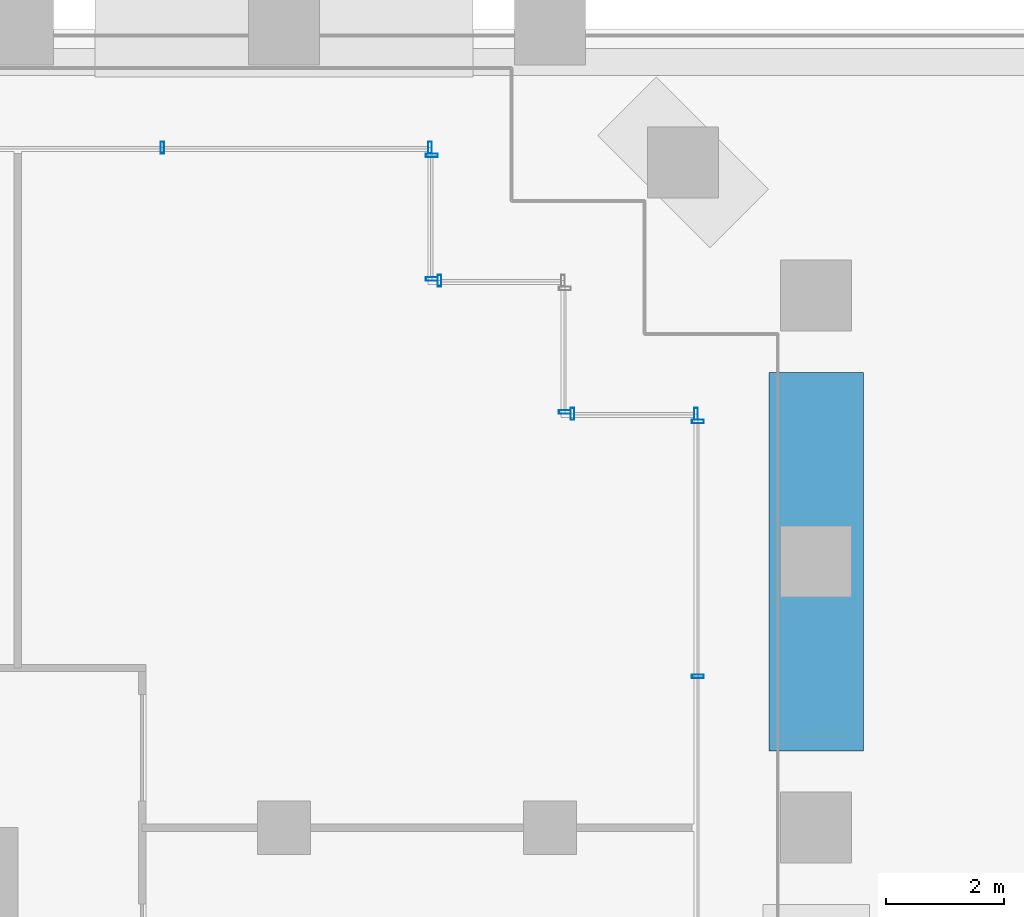
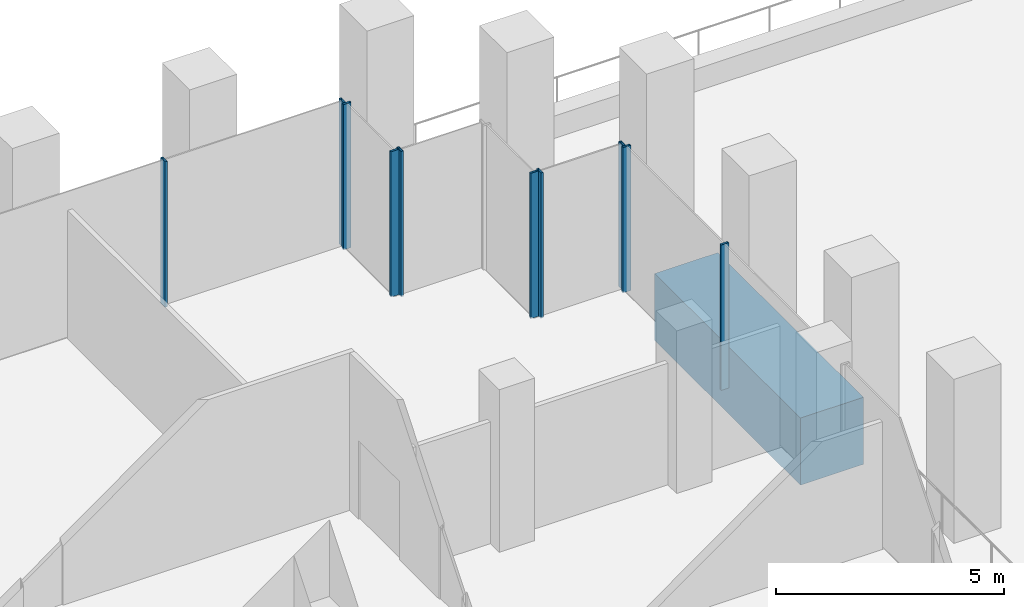
# One storey, part 12 of 32: 10 members, 1 beam, 6 elements without a shape of their own.
"""IFC4 building model written with IfcOpenShell, lengths in metres."""

from ifc_helpers import new_model, si_unit, direction, frame, origin, origin_2d, place, context, subcontext, project, spatial, rectangle, hollow_rectangle, extrude, material, material_profile, profile_set, type_object, element, aggregate, save


model = new_model("IFC4")

# Units and contexts
model_context = context("Model", 3, precision=1e-05, world=origin(), true_north=direction((0.0, 1.0)))
body_context = subcontext(model_context, "Body", "Model", "MODEL_VIEW")
ifc_project = project(units=[si_unit("LENGTHUNIT", "METRE"), si_unit("AREAUNIT", "SQUARE_METRE"), si_unit("VOLUMEUNIT", "CUBIC_METRE"), si_unit("PLANEANGLEUNIT", "RADIAN"), si_unit("MASSUNIT", "GRAM", prefix="KILO")], contexts=[model_context])

# Site, building, storey
site_placement = place(None, origin())
site = spatial("IfcSite", under=ifc_project, at=site_placement, CompositionType="ELEMENT")
building_placement = place(site_placement, origin())
building = spatial("IfcBuilding", under=site, at=building_placement, Name="Altepetl Exchange Towers", CompositionType="ELEMENT")
storey_placement = place(building_placement, frame((0.0, 0.0, 21.0)))
storey = spatial("IfcBuildingStorey", under=building, at=storey_placement, Name="L04", CompositionType="ELEMENT", Elevation=21.0)

# Curtain wall, members
ifc_material_1 = material(Name="Aluminium 6063-T6 glazing", Category="aluminium")
curtain_wall_type = type_object("IfcCurtainWallType", Name="Trading floor glazing system", PredefinedType="NOTDEFINED", material=ifc_material_1)
curtain_wall_1_placement = place(storey_placement, origin())
curtain_wall_1 = element("IfcCurtainWall", 1, at=curtain_wall_1_placement, inside=storey, type_object=curtain_wall_type, Name="CW2 run", PredefinedType="NOTDEFINED")
ifc_material_2 = material(Name="Aluminium 6063-T6", Category="aluminium")
ifc_material_profile_1 = material_profile(ifc_material_2, hollow_rectangle(XDim=0.06005859375, YDim=0.199951171875, WallThickness=0.0029296875, at=origin_2d()), Name="Mullion 60x200 aluminium")
ifc_profile_set_1 = profile_set([ifc_material_profile_1], Name="Aluminium 6063-T6")
member_type = type_object("IfcMemberType", Name="Mullion 60x200 aluminium", PredefinedType="MULLION", material=ifc_profile_set_1)
member_1_placement = place(storey_placement, frame((70.0, 61.06005859375, 0.0), z_axis=(0.0, 0.0, 1.0), x_axis=(0.0, 1.0, 0.0)))
member_1 = element("IfcMember", 2, at=member_1_placement, type_object=member_type, Name="MU2 mullion", PredefinedType="MULLION", context=body_context, shape_type="SweptSolid", body=[
    extrude(hollow_rectangle(XDim=0.06005859375, YDim=0.199951171875, WallThickness=0.0029296875, at=origin_2d()), origin(), (0.0, 0.0, 1.0), 3.89990234375),
])
member_2_placement = place(storey_placement, frame((70.0, 65.3701171875, 0.0), z_axis=(0.0, 0.0, 1.0), x_axis=(0.0, 1.0, 0.0)))
member_2 = element("IfcMember", 3, at=member_2_placement, type_object=member_type, Name="MU2 mullion", PredefinedType="MULLION", context=body_context, shape_type="SweptSolid", body=[
    extrude(hollow_rectangle(XDim=0.06005859375, YDim=0.199951171875, WallThickness=0.0029296875, at=origin_2d()), origin(), (0.0, 0.0, 1.0), 3.89990234375),
])
aggregate(curtain_wall_1, [member_1, member_2])

curtain_wall_2_placement = place(storey_placement, origin())
curtain_wall_2 = element("IfcCurtainWall", 4, at=curtain_wall_2_placement, inside=storey, type_object=curtain_wall_type, Name="CW2 run", PredefinedType="NOTDEFINED")
member_3_placement = place(storey_placement, frame((69.969970703125, 65.5, 0.0), z_axis=(0.0, 0.0, 1.0), x_axis=(-1.0, 0.0, 0.0)))
member_3 = element("IfcMember", 5, at=member_3_placement, type_object=member_type, Name="MU2 mullion", PredefinedType="MULLION", context=body_context, shape_type="SweptSolid", body=[
    extrude(hollow_rectangle(XDim=0.06005859375, YDim=0.199951171875, WallThickness=0.0029296875, at=origin_2d()), origin(), (0.0, 0.0, 1.0), 3.89990234375),
])
member_4_placement = place(storey_placement, frame((67.8798828125, 65.5, 0.0), z_axis=(0.0, 0.0, 1.0), x_axis=(-1.0, 0.0, 0.0)))
member_4 = element("IfcMember", 6, at=member_4_placement, type_object=member_type, Name="MU2 mullion", PredefinedType="MULLION", context=body_context, shape_type="SweptSolid", body=[
    extrude(hollow_rectangle(XDim=0.06005859375, YDim=0.199951171875, WallThickness=0.0029296875, at=origin_2d()), origin(), (0.0, 0.0, 1.0), 3.89990234375),
])
aggregate(curtain_wall_2, [member_3, member_4])

# Curtain wall, member
curtain_wall_3_placement = place(storey_placement, origin())
curtain_wall_3 = element("IfcCurtainWall", 7, at=curtain_wall_3_placement, inside=storey, type_object=curtain_wall_type, Name="CW2 run", PredefinedType="NOTDEFINED")
member_5_placement = place(storey_placement, frame((67.75, 65.530029296875, 0.0), z_axis=(0.0, 0.0, 1.0), x_axis=(0.0, 1.0, 0.0)))
member_5 = element("IfcMember", 8, at=member_5_placement, type_object=member_type, Name="MU2 mullion", PredefinedType="MULLION", context=body_context, shape_type="SweptSolid", body=[
    extrude(hollow_rectangle(XDim=0.06005859375, YDim=0.199951171875, WallThickness=0.0029296875, at=origin_2d()), origin(), (0.0, 0.0, 1.0), 3.89990234375),
])
aggregate(curtain_wall_3, [member_5])

curtain_wall_4_placement = place(storey_placement, origin())
curtain_wall_4 = element("IfcCurtainWall", 9, at=curtain_wall_4_placement, inside=storey, type_object=curtain_wall_type, Name="CW2 run", PredefinedType="NOTDEFINED")
member_6_placement = place(storey_placement, frame((65.6298828125, 67.75, 0.0), z_axis=(0.0, 0.0, 1.0), x_axis=(-1.0, 0.0, 0.0)))
member_6 = element("IfcMember", 10, at=member_6_placement, type_object=member_type, Name="MU2 mullion", PredefinedType="MULLION", context=body_context, shape_type="SweptSolid", body=[
    extrude(hollow_rectangle(XDim=0.06005859375, YDim=0.199951171875, WallThickness=0.0029296875, at=origin_2d()), origin(), (0.0, 0.0, 1.0), 3.89990234375),
])
aggregate(curtain_wall_4, [member_6])

# Curtain wall, members
curtain_wall_5_placement = place(storey_placement, origin())
curtain_wall_5 = element("IfcCurtainWall", 11, at=curtain_wall_5_placement, inside=storey, type_object=curtain_wall_type, Name="CW2 run", PredefinedType="NOTDEFINED")
member_7_placement = place(storey_placement, frame((65.5, 67.780029296875, 0.0), z_axis=(0.0, 0.0, 1.0), x_axis=(0.0, 1.0, 0.0)))
member_7 = element("IfcMember", 12, at=member_7_placement, type_object=member_type, Name="MU2 mullion", PredefinedType="MULLION", context=body_context, shape_type="SweptSolid", body=[
    extrude(hollow_rectangle(XDim=0.06005859375, YDim=0.199951171875, WallThickness=0.0029296875, at=origin_2d()), origin(), (0.0, 0.0, 1.0), 3.89990234375),
])
member_8_placement = place(storey_placement, frame((65.5, 69.8701171875, 0.0), z_axis=(0.0, 0.0, 1.0), x_axis=(0.0, 1.0, 0.0)))
member_8 = element("IfcMember", 13, at=member_8_placement, type_object=member_type, Name="MU2 mullion", PredefinedType="MULLION", context=body_context, shape_type="SweptSolid", body=[
    extrude(hollow_rectangle(XDim=0.06005859375, YDim=0.199951171875, WallThickness=0.0029296875, at=origin_2d()), origin(), (0.0, 0.0, 1.0), 3.89990234375),
])
aggregate(curtain_wall_5, [member_7, member_8])

curtain_wall_6_placement = place(storey_placement, origin())
curtain_wall_6 = element("IfcCurtainWall", 14, at=curtain_wall_6_placement, inside=storey, type_object=curtain_wall_type, Name="CW2 run", PredefinedType="NOTDEFINED")
member_9_placement = place(storey_placement, frame((65.469970703125, 70.0, 0.0), z_axis=(0.0, 0.0, 1.0), x_axis=(-1.0, 0.0, 0.0)))
member_9 = element("IfcMember", 15, at=member_9_placement, type_object=member_type, Name="MU2 mullion", PredefinedType="MULLION", context=body_context, shape_type="SweptSolid", body=[
    extrude(hollow_rectangle(XDim=0.06005859375, YDim=0.199951171875, WallThickness=0.0029296875, at=origin_2d()), origin(), (0.0, 0.0, 1.0), 3.89990234375),
])
member_10_placement = place(storey_placement, frame((60.94287109375, 70.0, 0.0), z_axis=(0.0, 0.0, 1.0), x_axis=(-1.0, 0.0, 0.0)))
member_10 = element("IfcMember", 16, at=member_10_placement, type_object=member_type, Name="MU2 mullion", PredefinedType="MULLION", context=body_context, shape_type="SweptSolid", body=[
    extrude(hollow_rectangle(XDim=0.06005859375, YDim=0.199951171875, WallThickness=0.0029296875, at=origin_2d()), origin(), (0.0, 0.0, 1.0), 3.89990234375),
])
aggregate(curtain_wall_6, [member_9, member_10])

# Beam
ifc_material_3 = material(Name="Concrete C60/75", Category="concrete")
ifc_material_profile_2 = material_profile(ifc_material_3, rectangle(XDim=1.60009765625, YDim=1.800048828125, at=origin_2d()), Name="1600 x 1800")
ifc_profile_set_2 = profile_set([ifc_material_profile_2], Name="Concrete C60/75")
beam_type = type_object("IfcBeamType", Name="Transfer girder 1600x1800", PredefinedType="BEAM", material=ifc_profile_set_2)
beam_placement = place(storey_placement, frame((72.0, 59.800048828125, -1.35009765625), z_axis=(0.0, 1.0, 0.0), x_axis=(-1.0, 0.0, 0.0)))
element("IfcBeam", 17, at=beam_placement, inside=storey, type_object=beam_type, Name="bm:A:L04:tg05", PredefinedType="BEAM", context=body_context, shape_type="SweptSolid", body=[
    extrude(rectangle(XDim=1.60009765625, YDim=1.800048828125, at=origin_2d()), origin(), (0.0, 0.0, 1.0), 6.39990234375),
])

save(model, "model.ifc")
